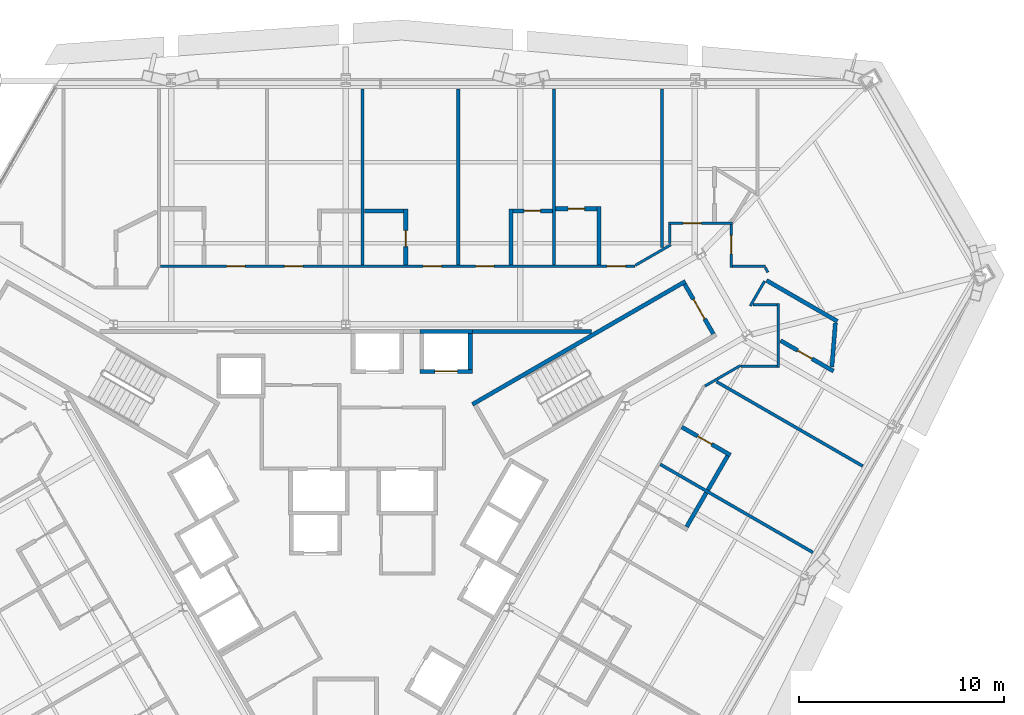
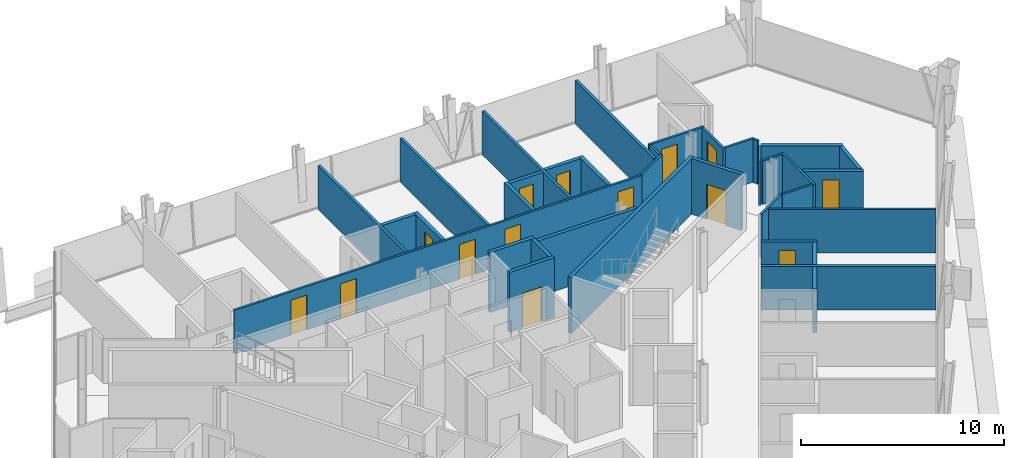
# One storey, part 14 of 17: 36 walls, 14 doors, 14 openings.
"""IFC4 building model written with IfcOpenShell, lengths in metres."""

from ifc_helpers import new_model, si_unit, direction, frame, frame_2d, origin, place, context, subcontext, project, spatial, rectangle, extrude, material, layer, layer_set, type_object, element, fill, save


model = new_model("IFC4")

# Units and contexts
model_context = context("Model", 3, precision=1e-05, world=origin(), true_north=direction((0.0, 1.0)))
body_context = subcontext(model_context, "Body", "Model", "MODEL_VIEW")
ifc_project = project(units=[si_unit("LENGTHUNIT", "METRE"), si_unit("AREAUNIT", "SQUARE_METRE"), si_unit("VOLUMEUNIT", "CUBIC_METRE"), si_unit("PLANEANGLEUNIT", "RADIAN"), si_unit("MASSUNIT", "GRAM", prefix="KILO")], contexts=[model_context])

# Site, building, storey
site_placement = place(None, origin())
site = spatial("IfcSite", under=ifc_project, at=site_placement, CompositionType="ELEMENT")
building_placement = place(site_placement, origin())
building = spatial("IfcBuilding", under=site, at=building_placement, Name="Verrane Prism Tower", CompositionType="ELEMENT")
storey_placement = place(building_placement, frame((0.0, 0.0, 62.0)))
storey = spatial("IfcBuildingStorey", under=building, at=storey_placement, Name="L13", CompositionType="ELEMENT", Elevation=62.0)

# Wall
ifc_material_1 = material(Name="Gypsum board partition", Category="other")
ifc_layer_1 = layer(ifc_material_1, 0.199951171875)
ifc_layer_set_1 = layer_set([ifc_layer_1], Name="CW-200 core boundary wall 2 h")
wall_type_1 = type_object("IfcWallType", Name="CW-200 core boundary wall 2 h", PredefinedType="PARTITIONING", material=ifc_layer_set_1)
wall_1_placement = place(storey_placement, frame((6.177001953125, 8.860107421875, 0.0), z_axis=(0.0, 0.0, 1.0), x_axis=(1.0, 0.0, 0.0)))
element("IfcWall", 1, at=wall_1_placement, inside=storey, type_object=wall_type_1, Name="Core boundary wall CW3-006", PredefinedType="PARTITIONING", context=body_context, shape_type="SweptSolid", body=[
    extrude(rectangle(XDim=5.81396484375, YDim=0.199951171875, at=frame_2d((2.906982421875, 0.0))), origin(), (0.0, 0.0, 1.0), 3.35009765625),
])

# Wall, opening, door
ifc_material_2 = material(Name="Concrete C40/50", Category="concrete")
ifc_layer_2 = layer(ifc_material_2, 0.199951171875)
ifc_layer_set_2 = layer_set([ifc_layer_2], Name="CW-200 stair core wall concrete C40/50 3 h")
wall_type_2 = type_object("IfcWallType", Name="CW-200 stair core wall concrete C40/50 3 h", PredefinedType="PARTITIONING", material=ifc_layer_set_2)
wall_2_placement = place(storey_placement, frame((17.933837890625, 8.737548828125, 0.0), z_axis=(0.0, 0.0, 1.0), x_axis=(-0.49998411664, 0.866034573852, 0.0)))
wall_2 = element("IfcWall", 2, at=wall_2_placement, inside=storey, type_object=wall_type_2, Name="Stair 1 enclosure wall", PredefinedType="PARTITIONING", context=body_context, shape_type="SweptSolid", body=[
    extrude(rectangle(XDim=2.7998046875, YDim=0.199951171875, at=frame_2d((1.39990234375, 0.0))), origin(), (0.0, 0.0, 1.0), 3.35009765625),
])
opening_1_placement = place(wall_2_placement, frame((0.849853515625, 0.0, 0.0)))
opening_1 = element("IfcOpeningElement", 3, at=opening_1_placement, cuts=wall_2, Name="Opening D12500", PredefinedType="OPENING", context=body_context, shape_type="SweptSolid", body=[
    extrude(rectangle(XDim=1.10009765625, YDim=2.10009765625, at=frame_2d((0.550048828125, 1.050048828125))), frame((0.0, 0.10986328125, 0.0), z_axis=(0.0, -1.0, 0.0), x_axis=(1.0, 0.0, 0.0)), (0.0, 0.0, 1.0), 0.219970703125),
])
ifc_material_3 = material(Name="Timber veneered door leaf", Category="wood")
door_type_1 = type_object("IfcDoorType", Name="DR-1100x2100 FD90 single leaf stair", OperationType="NOTDEFINED", PredefinedType="DOOR", material=ifc_material_3)
door_1_placement = place(opening_1_placement, origin())
door_1 = element("IfcDoor", 4, at=door_1_placement, inside=storey, type_object=door_type_1, Name="Stair 1 door", OperationType="SINGLE_SWING_LEFT", OverallHeight=2.10009765625, OverallWidth=1.10009765625, PredefinedType="DOOR", context=body_context, shape_type="SweptSolid", body=[
    extrude(rectangle(XDim=1.10009765625, YDim=2.10009765625, at=frame_2d((0.550048828125, 1.050048828125))), frame((0.0, 0.02490234375, 0.0), z_axis=(0.0, -1.0, 0.0), x_axis=(1.0, 0.0, 0.0)), (0.0, 0.0, 1.0), 0.050048828125),
])
fill(opening_1, door_1)

# Wall
wall_3_placement = place(storey_placement, frame((6.17822265625, 5.299072265625, 0.0), z_axis=(0.0, 0.0, 1.0), x_axis=(0.866026010844, 0.49999894854, 0.0)))
element("IfcWall", 5, at=wall_3_placement, inside=storey, type_object=wall_type_2, Name="Stair 1 enclosure wall", PredefinedType="PARTITIONING", context=body_context, shape_type="SweptSolid", body=[
    extrude(rectangle(XDim=12.0, YDim=0.199951171875, at=frame_2d((6.0, 0.0))), origin(), (0.0, 0.0, 1.0), 3.35009765625),
])

# Wall, opening, door
ifc_material_4 = material(Name="Gypsum board shaft wall assembly", Category="other")
ifc_layer_3 = layer(ifc_material_4, 0.199951171875)
ifc_layer_set_3 = layer_set([ifc_layer_3], Name="HW-200 lift shaft wall 2 h")
wall_type_3 = type_object("IfcWallType", Name="HW-200 lift shaft wall 2 h", PredefinedType="PARTITIONING", material=ifc_layer_set_3)
wall_4_placement = place(storey_placement, frame((3.625, 6.909912109375, 0.0), z_axis=(0.0, 0.0, 1.0), x_axis=(1.0, 0.0, 0.0)))
wall_4 = element("IfcWall", 6, at=wall_4_placement, inside=storey, type_object=wall_type_3, Name="Lift shaft wall", PredefinedType="PARTITIONING", context=body_context, shape_type="SweptSolid", body=[
    extrude(rectangle(XDim=2.550048828125, YDim=0.199951171875, at=frame_2d((1.27490234375, 0.0))), origin(), (0.0, 0.0, 1.0), 3.60009765625),
])
opening_2_placement = place(wall_4_placement, frame((0.72509765625, 0.0, 0.0)))
opening_2 = element("IfcOpeningElement", 7, at=opening_2_placement, cuts=wall_4, Name="Opening D12505", PredefinedType="OPENING", context=body_context, shape_type="SweptSolid", body=[
    extrude(rectangle(XDim=1.10009765625, YDim=2.10009765625, at=frame_2d((0.550048828125, 1.050048828125))), frame((0.0, 0.10986328125, 0.0), z_axis=(0.0, -1.0, 0.0), x_axis=(1.0, 0.0, 0.0)), (0.0, 0.0, 1.0), 0.219970703125),
])
ifc_material_5 = material(Name="Stainless steel sliding landing door", Category="steel")
door_type_2 = type_object("IfcDoorType", Name="LD-1100x2100 lift landing door FD90 sliding", OperationType="NOTDEFINED", PredefinedType="DOOR", material=ifc_material_5)
door_2_placement = place(opening_2_placement, origin())
door_2 = element("IfcDoor", 8, at=door_2_placement, inside=storey, type_object=door_type_2, Name="Bank A lift 3 landing door", OperationType="SLIDING_TO_LEFT", OverallHeight=2.10009765625, OverallWidth=1.10009765625, PredefinedType="DOOR", context=body_context, shape_type="SweptSolid", body=[
    extrude(rectangle(XDim=1.10009765625, YDim=2.10009765625, at=frame_2d((0.550048828125, 1.050048828125))), frame((0.0, 0.02490234375, 0.0), z_axis=(0.0, -1.0, 0.0), x_axis=(1.0, 0.0, 0.0)), (0.0, 0.0, 1.0), 0.050048828125),
])
fill(opening_2, door_2)

# Walls
wall_5_placement = place(storey_placement, frame((3.625, 8.860107421875, 0.0), z_axis=(0.0, 0.0, 1.0), x_axis=(1.0, 0.0, 0.0)))
element("IfcWall", 9, at=wall_5_placement, inside=storey, type_object=wall_type_3, Name="Lift shaft wall", PredefinedType="PARTITIONING", context=body_context, shape_type="SweptSolid", body=[
    extrude(rectangle(XDim=2.550048828125, YDim=0.199951171875, at=frame_2d((1.27490234375, 0.0))), origin(), (0.0, 0.0, 1.0), 3.60009765625),
])
wall_6_placement = place(storey_placement, frame((6.074951171875, 7.010009765625, 0.0), z_axis=(0.0, 0.0, 1.0), x_axis=(0.0, 1.0, 0.0)))
element("IfcWall", 10, at=wall_6_placement, inside=storey, type_object=wall_type_3, Name="Lift shaft wall", PredefinedType="PARTITIONING", context=body_context, shape_type="SweptSolid", body=[
    extrude(rectangle(XDim=1.75, YDim=0.199951171875, at=frame_2d((0.875, 0.0))), origin(), (0.0, 0.0, 1.0), 3.60009765625),
])

# Wall, openings, doors
ifc_material_6 = material(Name="Gypsum board partition", Category="other")
ifc_layer_4 = layer(ifc_material_6, 0.125)
ifc_layer_set_4 = layer_set([ifc_layer_4], Name="PW-125 corridor wall 1 h")
wall_type_4 = type_object("IfcWallType", Name="PW-125 corridor wall 1 h", PredefinedType="PARTITIONING", material=ifc_layer_set_4)
wall_7_placement = place(storey_placement, frame((-9.035888671875, 12.041015625, 0.0), z_axis=(0.0, 0.0, 1.0), x_axis=(1.0, 0.0, 0.0)))
wall_7 = element("IfcWall", 11, at=wall_7_placement, inside=storey, type_object=wall_type_4, Name="Corridor wall 033", PredefinedType="PARTITIONING", context=body_context, shape_type="SweptSolid", body=[
    extrude(rectangle(XDim=23.154296875, YDim=0.125, at=frame_2d((11.5771484375, 0.0))), origin(), (0.0, 0.0, 1.0), 2.613037109375),
])
opening_3_placement = place(wall_7_placement, frame((21.7890625, 0.0, 0.0)))
opening_3 = element("IfcOpeningElement", 12, at=opening_3_placement, cuts=wall_7, Name="Opening D12003", PredefinedType="OPENING", context=body_context, shape_type="SweptSolid", body=[
    extrude(rectangle(XDim=0.89990234375, YDim=2.10009765625, at=frame_2d((0.449951171875, 1.050048828125))), frame((0.0, 0.072509765625, 0.0), z_axis=(0.0, -1.0, 0.0), x_axis=(1.0, 0.0, 0.0)), (0.0, 0.0, 1.0), 0.14501953125),
])
opening_4_placement = place(wall_7_placement, frame((15.375, 0.0, 0.0)))
opening_4 = element("IfcOpeningElement", 13, at=opening_4_placement, cuts=wall_7, Name="Opening D12005", PredefinedType="OPENING", context=body_context, shape_type="SweptSolid", body=[
    extrude(rectangle(XDim=0.89990234375, YDim=2.10009765625, at=frame_2d((0.449951171875, 1.050048828125))), frame((0.0, 0.072509765625, 0.0), z_axis=(0.0, -1.0, 0.0), x_axis=(1.0, 0.0, 0.0)), (0.0, 0.0, 1.0), 0.14501953125),
])
opening_5_placement = place(wall_7_placement, frame((12.81005859375, 0.0, 0.0)))
opening_5 = element("IfcOpeningElement", 14, at=opening_5_placement, cuts=wall_7, Name="Opening D12007", PredefinedType="OPENING", context=body_context, shape_type="SweptSolid", body=[
    extrude(rectangle(XDim=0.89990234375, YDim=2.10009765625, at=frame_2d((0.449951171875, 1.050048828125))), frame((0.0, 0.072509765625, 0.0), z_axis=(0.0, -1.0, 0.0), x_axis=(1.0, 0.0, 0.0)), (0.0, 0.0, 1.0), 0.14501953125),
])
opening_6_placement = place(wall_7_placement, frame((6.0458984375, 0.0, 0.0)))
opening_6 = element("IfcOpeningElement", 15, at=opening_6_placement, cuts=wall_7, Name="Opening D12009", PredefinedType="OPENING", context=body_context, shape_type="SweptSolid", body=[
    extrude(rectangle(XDim=0.89990234375, YDim=2.10009765625, at=frame_2d((0.449951171875, 1.050048828125))), frame((0.0, 0.072509765625, 0.0), z_axis=(0.0, -1.0, 0.0), x_axis=(1.0, 0.0, 0.0)), (0.0, 0.0, 1.0), 0.14501953125),
])
opening_7_placement = place(wall_7_placement, frame((3.22412109375, 0.0, 0.0)))
opening_7 = element("IfcOpeningElement", 16, at=opening_7_placement, cuts=wall_7, Name="Opening D12011", PredefinedType="OPENING", context=body_context, shape_type="SweptSolid", body=[
    extrude(rectangle(XDim=0.89990234375, YDim=2.10009765625, at=frame_2d((0.449951171875, 1.050048828125))), frame((0.0, 0.072509765625, 0.0), z_axis=(0.0, -1.0, 0.0), x_axis=(1.0, 0.0, 0.0)), (0.0, 0.0, 1.0), 0.14501953125),
])
ifc_material_7 = material(Name="Timber veneered door leaf", Category="wood")
door_type_3 = type_object("IfcDoorType", Name="DR-900x2100 FD20 single leaf unit", OperationType="NOTDEFINED", PredefinedType="DOOR", material=ifc_material_7)
door_3_placement = place(opening_3_placement, origin())
door_3 = element("IfcDoor", 17, at=door_3_placement, inside=storey, type_object=door_type_3, Name="Guest Room door", OperationType="SINGLE_SWING_RIGHT", OverallHeight=2.10009765625, OverallWidth=0.89990234375, PredefinedType="DOOR", context=body_context, shape_type="SweptSolid", body=[
    extrude(rectangle(XDim=0.89990234375, YDim=2.10009765625, at=frame_2d((0.449951171875, 1.050048828125))), frame((0.0, 0.02490234375, 0.0), z_axis=(0.0, -1.0, 0.0), x_axis=(1.0, 0.0, 0.0)), (0.0, 0.0, 1.0), 0.050048828125),
])
fill(opening_3, door_3)
door_4_placement = place(opening_4_placement, origin())
door_4 = element("IfcDoor", 18, at=door_4_placement, inside=storey, type_object=door_type_3, Name="Guest Room door", OperationType="SINGLE_SWING_RIGHT", OverallHeight=2.10009765625, OverallWidth=0.89990234375, PredefinedType="DOOR", context=body_context, shape_type="SweptSolid", body=[
    extrude(rectangle(XDim=0.89990234375, YDim=2.10009765625, at=frame_2d((0.449951171875, 1.050048828125))), frame((0.0, 0.02490234375, 0.0), z_axis=(0.0, -1.0, 0.0), x_axis=(1.0, 0.0, 0.0)), (0.0, 0.0, 1.0), 0.050048828125),
])
fill(opening_4, door_4)
door_5_placement = place(opening_5_placement, origin())
door_5 = element("IfcDoor", 19, at=door_5_placement, inside=storey, type_object=door_type_3, Name="Guest Room door", OperationType="SINGLE_SWING_LEFT", OverallHeight=2.10009765625, OverallWidth=0.89990234375, PredefinedType="DOOR", context=body_context, shape_type="SweptSolid", body=[
    extrude(rectangle(XDim=0.89990234375, YDim=2.10009765625, at=frame_2d((0.449951171875, 1.050048828125))), frame((0.0, 0.02490234375, 0.0), z_axis=(0.0, -1.0, 0.0), x_axis=(1.0, 0.0, 0.0)), (0.0, 0.0, 1.0), 0.050048828125),
])
fill(opening_5, door_5)
door_6_placement = place(opening_6_placement, origin())
door_6 = element("IfcDoor", 20, at=door_6_placement, inside=storey, type_object=door_type_3, Name="Guest Room door", OperationType="SINGLE_SWING_LEFT", OverallHeight=2.10009765625, OverallWidth=0.89990234375, PredefinedType="DOOR", context=body_context, shape_type="SweptSolid", body=[
    extrude(rectangle(XDim=0.89990234375, YDim=2.10009765625, at=frame_2d((0.449951171875, 1.050048828125))), frame((0.0, 0.02490234375, 0.0), z_axis=(0.0, -1.0, 0.0), x_axis=(1.0, 0.0, 0.0)), (0.0, 0.0, 1.0), 0.050048828125),
])
fill(opening_6, door_6)
door_7_placement = place(opening_7_placement, origin())
door_7 = element("IfcDoor", 21, at=door_7_placement, inside=storey, type_object=door_type_3, Name="Guest Room door", OperationType="SINGLE_SWING_LEFT", OverallHeight=2.10009765625, OverallWidth=0.89990234375, PredefinedType="DOOR", context=body_context, shape_type="SweptSolid", body=[
    extrude(rectangle(XDim=0.89990234375, YDim=2.10009765625, at=frame_2d((0.449951171875, 1.050048828125))), frame((0.0, 0.02490234375, 0.0), z_axis=(0.0, -1.0, 0.0), x_axis=(1.0, 0.0, 0.0)), (0.0, 0.0, 1.0), 0.050048828125),
])
fill(opening_7, door_7)

# Walls
wall_8_placement = place(storey_placement, frame((14.129638671875, 12.08349609375, 0.0), z_axis=(0.0, 0.0, 1.0), x_axis=(0.865936922628, 0.500153222552, 0.0)))
element("IfcWall", 22, at=wall_8_placement, inside=storey, type_object=wall_type_4, Name="Corridor wall 073", PredefinedType="PARTITIONING", context=body_context, shape_type="SweptSolid", body=[
    extrude(rectangle(XDim=1.994873046875, YDim=0.125, at=frame_2d((0.99755859375, 0.0))), origin(), (0.0, 0.0, 1.0), 2.613037109375),
])
wall_9_placement = place(storey_placement, frame((15.802978515625, 13.135009765625, 0.0), z_axis=(0.0, 0.0, 1.0), x_axis=(0.0, 1.0, 0.0)))
element("IfcWall", 23, at=wall_9_placement, inside=storey, type_object=wall_type_4, Name="Corridor wall 077", PredefinedType="PARTITIONING", context=body_context, shape_type="SweptSolid", body=[
    extrude(rectangle(XDim=0.93701171875, YDim=0.125, at=frame_2d((0.468505859375, 0.0))), origin(), (0.0, 0.0, 1.0), 2.613037109375),
])

# Wall, opening, door
wall_10_placement = place(storey_placement, frame((15.740478515625, 14.136962890625, 0.0), z_axis=(0.0, 0.0, 1.0), x_axis=(1.0, 0.0, 0.0)))
wall_10 = element("IfcWall", 24, at=wall_10_placement, inside=storey, type_object=wall_type_4, Name="Corridor wall 078", PredefinedType="PARTITIONING", context=body_context, shape_type="SweptSolid", body=[
    extrude(rectangle(XDim=3.119140625, YDim=0.125, at=frame_2d((1.5595703125, 0.0))), origin(), (0.0, 0.0, 1.0), 2.613037109375),
])
opening_8_placement = place(wall_10_placement, frame((0.71240234375, 0.0, 0.0)))
opening_8 = element("IfcOpeningElement", 25, at=opening_8_placement, cuts=wall_10, Name="Opening D12001", PredefinedType="OPENING", context=body_context, shape_type="SweptSolid", body=[
    extrude(rectangle(XDim=0.89990234375, YDim=2.10009765625, at=frame_2d((0.449951171875, 1.050048828125))), frame((0.0, 0.072509765625, 0.0), z_axis=(0.0, -1.0, 0.0), x_axis=(1.0, 0.0, 0.0)), (0.0, 0.0, 1.0), 0.14501953125),
])
door_8_placement = place(opening_8_placement, origin())
door_8 = element("IfcDoor", 26, at=door_8_placement, inside=storey, type_object=door_type_3, Name="Guest Room door", OperationType="SINGLE_SWING_RIGHT", OverallHeight=2.10009765625, OverallWidth=0.89990234375, PredefinedType="DOOR", context=body_context, shape_type="SweptSolid", body=[
    extrude(rectangle(XDim=0.89990234375, YDim=2.10009765625, at=frame_2d((0.449951171875, 1.050048828125))), frame((0.0, 0.02490234375, 0.0), z_axis=(0.0, -1.0, 0.0), x_axis=(1.0, 0.0, 0.0)), (0.0, 0.0, 1.0), 0.050048828125),
])
fill(opening_8, door_8)

# Wall
wall_11_placement = place(storey_placement, frame((17.528564453125, 6.194580078125, 0.0), z_axis=(0.0, 0.0, 1.0), x_axis=(0.866002566612, 0.500039553057, 0.0)))
element("IfcWall", 27, at=wall_11_placement, inside=storey, type_object=wall_type_4, Name="Corridor wall 081", PredefinedType="PARTITIONING", context=body_context, shape_type="SweptSolid", body=[
    extrude(rectangle(XDim=1.999267578125, YDim=0.125, at=frame_2d((0.99951171875, 0.0))), origin(), (0.0, 0.0, 1.0), 2.613037109375),
])

# Wall, opening, door
wall_12_placement = place(storey_placement, frame((18.797119140625, 14.072021484375, 0.0), z_axis=(0.0, 0.0, 1.0), x_axis=(0.0, -1.0, 0.0)))
wall_12 = element("IfcWall", 28, at=wall_12_placement, inside=storey, type_object=wall_type_4, Name="Corridor wall 086", PredefinedType="PARTITIONING", context=body_context, shape_type="SweptSolid", body=[
    extrude(rectangle(XDim=2.093505859375, YDim=0.125, at=frame_2d((1.046875, 0.0))), origin(), (0.0, 0.0, 1.0), 2.613037109375),
])
opening_9_placement = place(wall_12_placement, frame((0.531005859375, 0.0, 0.0)))
opening_9 = element("IfcOpeningElement", 29, at=opening_9_placement, cuts=wall_12, Name="Opening D12042", PredefinedType="OPENING", context=body_context, shape_type="SweptSolid", body=[
    extrude(rectangle(XDim=0.89990234375, YDim=2.10009765625, at=frame_2d((0.449951171875, 1.050048828125))), frame((0.0, 0.072509765625, 0.0), z_axis=(0.0, -1.0, 0.0), x_axis=(1.0, 0.0, 0.0)), (0.0, 0.0, 1.0), 0.14501953125),
])
door_9_placement = place(opening_9_placement, origin())
door_9 = element("IfcDoor", 30, at=door_9_placement, inside=storey, type_object=door_type_3, Name="Corner Suite door", OperationType="SINGLE_SWING_LEFT", OverallHeight=2.10009765625, OverallWidth=0.89990234375, PredefinedType="DOOR", context=body_context, shape_type="SweptSolid", body=[
    extrude(rectangle(XDim=0.89990234375, YDim=2.10009765625, at=frame_2d((0.449951171875, 1.050048828125))), frame((0.0, 0.02490234375, 0.0), z_axis=(0.0, -1.0, 0.0), x_axis=(1.0, 0.0, 0.0)), (0.0, 0.0, 1.0), 0.050048828125),
])
fill(opening_9, door_9)

# Walls
wall_13_placement = place(storey_placement, frame((18.862060546875, 12.041015625, 0.0), z_axis=(0.0, 0.0, 1.0), x_axis=(1.0, 0.0, 0.0)))
element("IfcWall", 31, at=wall_13_placement, inside=storey, type_object=wall_type_4, Name="Corridor wall 087", PredefinedType="PARTITIONING", context=body_context, shape_type="SweptSolid", body=[
    extrude(rectangle(XDim=1.62451171875, YDim=0.125, at=frame_2d((0.812255859375, 0.0))), origin(), (0.0, 0.0, 1.0), 2.613037109375),
])
wall_14_placement = place(storey_placement, frame((19.291015625, 7.1630859375, 0.0), z_axis=(0.0, 0.0, 1.0), x_axis=(1.0, 0.0, 0.0)))
element("IfcWall", 32, at=wall_14_placement, inside=storey, type_object=wall_type_4, Name="Corridor wall 089", PredefinedType="PARTITIONING", context=body_context, shape_type="SweptSolid", body=[
    extrude(rectangle(XDim=1.740966796875, YDim=0.125, at=frame_2d((0.87060546875, 0.0))), origin(), (0.0, 0.0, 1.0), 2.613037109375),
])
wall_15_placement = place(storey_placement, frame((19.73681640625, 10.102783203125, 0.0), z_axis=(0.0, 0.0, 1.0), x_axis=(0.499944854726, 0.866057239582, 0.0)))
element("IfcWall", 33, at=wall_15_placement, inside=storey, type_object=wall_type_4, Name="Corridor wall 090", PredefinedType="PARTITIONING", context=body_context, shape_type="SweptSolid", body=[
    extrude(rectangle(XDim=1.393798828125, YDim=0.125, at=frame_2d((0.69677734375, 0.0))), origin(), (0.0, 0.0, 1.0), 2.613037109375),
])
wall_16_placement = place(storey_placement, frame((19.873046875, 10.156982421875, 0.0), z_axis=(0.0, 0.0, 1.0), x_axis=(1.0, 0.0, 0.0)))
element("IfcWall", 34, at=wall_16_placement, inside=storey, type_object=wall_type_4, Name="Corridor wall 091", PredefinedType="PARTITIONING", context=body_context, shape_type="SweptSolid", body=[
    extrude(rectangle(XDim=1.158935546875, YDim=0.125, at=frame_2d((0.57958984375, 0.0))), origin(), (0.0, 0.0, 1.0), 2.613037109375),
])
wall_17_placement = place(storey_placement, frame((20.466552734375, 11.96728515625, 0.0), z_axis=(0.0, 0.0, 1.0), x_axis=(0.500153222552, -0.865936922628, 0.0)))
element("IfcWall", 35, at=wall_17_placement, inside=storey, type_object=wall_type_4, Name="Corridor wall 093", PredefinedType="PARTITIONING", context=body_context, shape_type="SweptSolid", body=[
    extrude(rectangle(XDim=0.26171875, YDim=0.125, at=frame_2d((0.130859375, 0.0))), origin(), (0.0, 0.0, 1.0), 2.613037109375),
])
wall_18_placement = place(storey_placement, frame((21.096923828125, 7.1005859375, 0.0), z_axis=(0.0, 0.0, 1.0), x_axis=(0.0, 1.0, 0.0)))
element("IfcWall", 36, at=wall_18_placement, inside=storey, type_object=wall_type_4, Name="Corridor wall 095", PredefinedType="PARTITIONING", context=body_context, shape_type="SweptSolid", body=[
    extrude(rectangle(XDim=3.118896484375, YDim=0.125, at=frame_2d((1.5595703125, 0.0))), origin(), (0.0, 0.0, 1.0), 2.613037109375),
])
ifc_material_8 = material(Name="Gypsum board partition", Category="other")
ifc_layer_5 = layer(ifc_material_8, 0.14990234375)
ifc_layer_set_5 = layer_set([ifc_layer_5], Name="PW-150 demising wall 1 h")
wall_type_5 = type_object("IfcWallType", Name="PW-150 demising wall 1 h", PredefinedType="PARTITIONING", material=ifc_layer_set_5)
for number, where, z_axis, x_axis, name in (
    (37, (0.823974609375, 12.103515625, 0.0), (0.0, 0.0, 1.0), (0.0, 1.0, 0.0), "Demising wall 049"),
    (38, (5.489013671875, 12.103515625, 0.0), (0.0, 0.0, 1.0), (0.0, 1.0, 0.0), "Demising wall 057"),
    (39, (10.153076171875, 12.103515625, 0.0), (0.0, 0.0, 1.0), (0.0, 1.0, 0.0), "Demising wall 065"),
):
    element("IfcWall", number, at=place(storey_placement, frame(where, z_axis=z_axis, x_axis=x_axis)), inside=storey, type_object=wall_type_5, Name=name, PredefinedType="PARTITIONING", context=body_context, shape_type="SweptSolid", body=[
        extrude(rectangle(XDim=8.591552734375, YDim=0.14990234375, at=frame_2d((4.2958984375, 0.0))), origin(), (0.0, 0.0, 1.0), 2.613037109375),
    ])
wall_19_placement = place(storey_placement, frame((15.349365234375, 2.370361328125, 0.0), z_axis=(0.0, 0.0, 1.0), x_axis=(0.866033609522, -0.499985786976, 0.0)))
element("IfcWall", 40, at=wall_19_placement, inside=storey, type_object=wall_type_5, Name="Demising wall 075", PredefinedType="PARTITIONING", context=body_context, shape_type="SweptSolid", body=[
    extrude(rectangle(XDim=8.587158203125, YDim=0.14990234375, at=frame_2d((4.29345703125, 0.0))), origin(), (0.0, 0.0, 1.0), 2.613037109375),
])
wall_20_placement = place(storey_placement, frame((15.425048828125, 12.947509765625, 0.0), z_axis=(0.0, 0.0, 1.0), x_axis=(0.0, 1.0, 0.0)))
element("IfcWall", 41, at=wall_20_placement, inside=storey, type_object=wall_type_5, Name="Demising wall 076", PredefinedType="PARTITIONING", context=body_context, shape_type="SweptSolid", body=[
    extrude(rectangle(XDim=7.74755859375, YDim=0.14990234375, at=frame_2d((3.873779296875, 0.0))), origin(), (0.0, 0.0, 1.0), 2.613037109375),
])
wall_21_placement = place(storey_placement, frame((18.091064453125, 6.4033203125, 0.0), z_axis=(0.0, 0.0, 1.0), x_axis=(0.866038366034, -0.499977548053, 0.0)))
element("IfcWall", 42, at=wall_21_placement, inside=storey, type_object=wall_type_5, Name="Demising wall 085", PredefinedType="PARTITIONING", context=body_context, shape_type="SweptSolid", body=[
    extrude(rectangle(XDim=8.2294921875, YDim=0.14990234375, at=frame_2d((4.11474609375, 0.0))), origin(), (0.0, 0.0, 1.0), 2.613037109375),
])
ifc_material_9 = material(Name="Gypsum board partition", Category="other")
ifc_layer_6 = layer(ifc_material_9, 0.199951171875)
ifc_layer_set_6 = layer_set([ifc_layer_6], Name="PW-200 plumbing wall")
wall_type_6 = type_object("IfcWallType", Name="PW-200 plumbing wall", PredefinedType="PARTITIONING", material=ifc_layer_set_6)
wall_22_placement = place(storey_placement, frame((0.904052734375, 14.740966796875, 0.0), z_axis=(0.0, 0.0, 1.0), x_axis=(1.0, 0.0, 0.0)))
element("IfcWall", 43, at=wall_22_placement, inside=storey, type_object=wall_type_6, Name="Plumbing wall 050", PredefinedType="PARTITIONING", context=body_context, shape_type="SweptSolid", body=[
    extrude(rectangle(XDim=1.919921875, YDim=0.199951171875, at=frame_2d((0.9599609375, 0.0))), origin(), (0.0, 0.0, 1.0), 2.613037109375),
])

# Wall, opening, door
wall_23_placement = place(storey_placement, frame((2.924072265625, 12.103515625, 0.0), z_axis=(0.0, 0.0, 1.0), x_axis=(0.0, 1.0, 0.0)))
wall_23 = element("IfcWall", 44, at=wall_23_placement, inside=storey, type_object=wall_type_6, Name="Plumbing wall 051", PredefinedType="PARTITIONING", context=body_context, shape_type="SweptSolid", body=[
    extrude(rectangle(XDim=2.737548828125, YDim=0.199951171875, at=frame_2d((1.36865234375, 0.0))), origin(), (0.0, 0.0, 1.0), 2.613037109375),
])
opening_10_placement = place(wall_23_placement, frame((0.887451171875, 0.0, 0.0)))
opening_10 = element("IfcOpeningElement", 45, at=opening_10_placement, cuts=wall_23, Name="Opening D12008", PredefinedType="OPENING", context=body_context, shape_type="SweptSolid", body=[
    extrude(rectangle(XDim=0.800048828125, YDim=2.10009765625, at=frame_2d((0.39990234375, 1.050048828125))), frame((0.0, 0.10986328125, 0.0), z_axis=(0.0, -1.0, 0.0), x_axis=(1.0, 0.0, 0.0)), (0.0, 0.0, 1.0), 0.219970703125),
])
ifc_material_10 = material(Name="Timber veneered door leaf", Category="wood")
door_type_4 = type_object("IfcDoorType", Name="DR-800x2100 single leaf bath", OperationType="NOTDEFINED", PredefinedType="DOOR", material=ifc_material_10)
door_10_placement = place(opening_10_placement, origin())
door_10 = element("IfcDoor", 46, at=door_10_placement, inside=storey, type_object=door_type_4, Name="En-Suite door", OperationType="SINGLE_SWING_RIGHT", OverallHeight=2.10009765625, OverallWidth=0.800048828125, PredefinedType="DOOR", context=body_context, shape_type="SweptSolid", body=[
    extrude(rectangle(XDim=0.800048828125, YDim=2.10009765625, at=frame_2d((0.39990234375, 1.050048828125))), frame((0.0, 0.02490234375, 0.0), z_axis=(0.0, -1.0, 0.0), x_axis=(1.0, 0.0, 0.0)), (0.0, 0.0, 1.0), 0.050048828125),
])
fill(opening_10, door_10)

# Wall
wall_24_placement = place(storey_placement, frame((8.052978515625, 12.103515625, 0.0), z_axis=(0.0, 0.0, 1.0), x_axis=(0.0, 1.0, 0.0)))
element("IfcWall", 47, at=wall_24_placement, inside=storey, type_object=wall_type_6, Name="Plumbing wall 062", PredefinedType="PARTITIONING", context=body_context, shape_type="SweptSolid", body=[
    extrude(rectangle(XDim=2.737548828125, YDim=0.199951171875, at=frame_2d((1.36865234375, 0.0))), origin(), (0.0, 0.0, 1.0), 2.613037109375),
])

# Wall, opening, door
wall_25_placement = place(storey_placement, frame((10.077880859375, 14.740966796875, 0.0), z_axis=(0.0, 0.0, 1.0), x_axis=(-1.0, 0.0, 0.0)))
wall_25 = element("IfcWall", 48, at=wall_25_placement, inside=storey, type_object=wall_type_6, Name="Plumbing wall 063", PredefinedType="PARTITIONING", context=body_context, shape_type="SweptSolid", body=[
    extrude(rectangle(XDim=1.9248046875, YDim=0.199951171875, at=frame_2d((0.96240234375, 0.0))), origin(), (0.0, 0.0, 1.0), 2.613037109375),
])
opening_11_placement = place(wall_25_placement, frame((0.574951171875, 0.0, 0.0)))
opening_11 = element("IfcOpeningElement", 49, at=opening_11_placement, cuts=wall_25, Name="Opening D12006", PredefinedType="OPENING", context=body_context, shape_type="SweptSolid", body=[
    extrude(rectangle(XDim=0.800048828125, YDim=2.10009765625, at=frame_2d((0.39990234375, 1.050048828125))), frame((0.0, 0.10986328125, 0.0), z_axis=(0.0, -1.0, 0.0), x_axis=(1.0, 0.0, 0.0)), (0.0, 0.0, 1.0), 0.219970703125),
])
door_11_placement = place(opening_11_placement, origin())
door_11 = element("IfcDoor", 50, at=door_11_placement, inside=storey, type_object=door_type_4, Name="En-Suite door", OperationType="SINGLE_SWING_LEFT", OverallHeight=2.10009765625, OverallWidth=0.800048828125, PredefinedType="DOOR", context=body_context, shape_type="SweptSolid", body=[
    extrude(rectangle(XDim=0.800048828125, YDim=2.10009765625, at=frame_2d((0.39990234375, 1.050048828125))), frame((0.0, 0.02490234375, 0.0), z_axis=(0.0, -1.0, 0.0), x_axis=(1.0, 0.0, 0.0)), (0.0, 0.0, 1.0), 0.050048828125),
])
fill(opening_11, door_11)

wall_26_placement = place(storey_placement, frame((12.2529296875, 14.841064453125, 0.0), z_axis=(0.0, 0.0, 1.0), x_axis=(-1.0, 0.0, 0.0)))
wall_26 = element("IfcWall", 51, at=wall_26_placement, inside=storey, type_object=wall_type_6, Name="Plumbing wall 066", PredefinedType="PARTITIONING", context=body_context, shape_type="SweptSolid", body=[
    extrude(rectangle(XDim=2.02490234375, YDim=0.199951171875, at=frame_2d((1.012451171875, 0.0))), origin(), (0.0, 0.0, 1.0), 2.613037109375),
])
opening_12_placement = place(wall_26_placement, frame((0.60009765625, 0.0, 0.0)))
opening_12 = element("IfcOpeningElement", 52, at=opening_12_placement, cuts=wall_26, Name="Opening D12004", PredefinedType="OPENING", context=body_context, shape_type="SweptSolid", body=[
    extrude(rectangle(XDim=0.800048828125, YDim=2.10009765625, at=frame_2d((0.39990234375, 1.050048828125))), frame((0.0, 0.10986328125, 0.0), z_axis=(0.0, -1.0, 0.0), x_axis=(1.0, 0.0, 0.0)), (0.0, 0.0, 1.0), 0.219970703125),
])
door_12_placement = place(opening_12_placement, origin())
door_12 = element("IfcDoor", 53, at=door_12_placement, inside=storey, type_object=door_type_4, Name="En-Suite door", OperationType="SINGLE_SWING_RIGHT", OverallHeight=2.10009765625, OverallWidth=0.800048828125, PredefinedType="DOOR", context=body_context, shape_type="SweptSolid", body=[
    extrude(rectangle(XDim=0.800048828125, YDim=2.10009765625, at=frame_2d((0.39990234375, 1.050048828125))), frame((0.0, 0.02490234375, 0.0), z_axis=(0.0, -1.0, 0.0), x_axis=(1.0, 0.0, 0.0)), (0.0, 0.0, 1.0), 0.050048828125),
])
fill(opening_12, door_12)

# Wall
wall_27_placement = place(storey_placement, frame((12.35302734375, 12.103515625, 0.0), z_axis=(0.0, 0.0, 1.0), x_axis=(0.0, 1.0, 0.0)))
element("IfcWall", 54, at=wall_27_placement, inside=storey, type_object=wall_type_6, Name="Plumbing wall 070", PredefinedType="PARTITIONING", context=body_context, shape_type="SweptSolid", body=[
    extrude(rectangle(XDim=2.83740234375, YDim=0.199951171875, at=frame_2d((1.418701171875, 0.0))), origin(), (0.0, 0.0, 1.0), 2.613037109375),
])

# Wall, opening, door
wall_28_placement = place(storey_placement, frame((18.7666015625, 2.822021484375, 0.0), z_axis=(0.0, 0.0, 1.0), x_axis=(-0.866117296485, 0.499840803386, 0.0)))
wall_28 = element("IfcWall", 55, at=wall_28_placement, inside=storey, type_object=wall_type_6, Name="Plumbing wall 079", PredefinedType="PARTITIONING", context=body_context, shape_type="SweptSolid", body=[
    extrude(rectangle(XDim=2.73828125, YDim=0.199951171875, at=frame_2d((1.369140625, 0.0))), origin(), (0.0, 0.0, 1.0), 2.613037109375),
])
opening_13_placement = place(wall_28_placement, frame((1.050537109375, 0.0, 0.0)))
opening_13 = element("IfcOpeningElement", 56, at=opening_13_placement, cuts=wall_28, Name="Opening D12041", PredefinedType="OPENING", context=body_context, shape_type="SweptSolid", body=[
    extrude(rectangle(XDim=0.800048828125, YDim=2.10009765625, at=frame_2d((0.39990234375, 1.050048828125))), frame((0.0, 0.10986328125, 0.0), z_axis=(0.0, -1.0, 0.0), x_axis=(1.0, 0.0, 0.0)), (0.0, 0.0, 1.0), 0.219970703125),
])
door_13_placement = place(opening_13_placement, origin())
door_13 = element("IfcDoor", 57, at=door_13_placement, inside=storey, type_object=door_type_4, Name="En-Suite door", OperationType="SINGLE_SWING_RIGHT", OverallHeight=2.10009765625, OverallWidth=0.800048828125, PredefinedType="DOOR", context=body_context, shape_type="SweptSolid", body=[
    extrude(rectangle(XDim=0.800048828125, YDim=2.10009765625, at=frame_2d((0.39990234375, 1.050048828125))), frame((0.0, 0.02490234375, 0.0), z_axis=(0.0, -1.0, 0.0), x_axis=(1.0, 0.0, 0.0)), (0.0, 0.0, 1.0), 0.050048828125),
])
fill(opening_13, door_13)

# Walls
wall_29_placement = place(storey_placement, frame((16.6298828125, -0.678466796875, 0.0), z_axis=(0.0, 0.0, 1.0), x_axis=(0.49992795321, 0.866066996022, 0.0)))
element("IfcWall", 58, at=wall_29_placement, inside=storey, type_object=wall_type_6, Name="Plumbing wall 080", PredefinedType="PARTITIONING", context=body_context, shape_type="SweptSolid", body=[
    extrude(rectangle(XDim=1.919677734375, YDim=0.199951171875, at=frame_2d((0.9599609375, 0.0))), origin(), (0.0, 0.0, 1.0), 2.613037109375),
])
wall_30_placement = place(storey_placement, frame((17.66943359375, 1.123046875, 0.0), z_axis=(0.0, 0.0, 1.0), x_axis=(0.500269123289, 0.865869969617, 0.0)))
element("IfcWall", 59, at=wall_30_placement, inside=storey, type_object=wall_type_6, Name="Plumbing wall 082", PredefinedType="PARTITIONING", context=body_context, shape_type="SweptSolid", body=[
    extrude(rectangle(XDim=1.919921875, YDim=0.199951171875, at=frame_2d((0.9599609375, 0.0))), origin(), (0.0, 0.0, 1.0), 2.613037109375),
])
wall_31_placement = place(storey_placement, frame((20.526123046875, 11.345703125, 0.0), z_axis=(0.0, 0.0, 1.0), x_axis=(0.866089865591, -0.499888332251, 0.0)))
element("IfcWall", 60, at=wall_31_placement, inside=storey, type_object=wall_type_6, Name="Plumbing wall 094", PredefinedType="PARTITIONING", context=body_context, shape_type="SweptSolid", body=[
    extrude(rectangle(XDim=3.9921875, YDim=0.199951171875, at=frame_2d((1.99609375, 0.0))), origin(), (0.0, 0.0, 1.0), 2.613037109375),
])

# Wall, opening, door
wall_32_placement = place(storey_placement, frame((21.20947265625, 8.4111328125, 0.0), z_axis=(0.0, 0.0, 1.0), x_axis=(0.86595648724, -0.500119347963, 0.0)))
wall_32 = element("IfcWall", 61, at=wall_32_placement, inside=storey, type_object=wall_type_6, Name="Plumbing wall 096", PredefinedType="PARTITIONING", context=body_context, shape_type="SweptSolid", body=[
    extrude(rectangle(XDim=2.981689453125, YDim=0.199951171875, at=frame_2d((1.49072265625, 0.0))), origin(), (0.0, 0.0, 1.0), 2.613037109375),
])
opening_14_placement = place(wall_32_placement, frame((0.969970703125, 0.0, 0.0)))
opening_14 = element("IfcOpeningElement", 62, at=opening_14_placement, cuts=wall_32, Name="Opening D12043", PredefinedType="OPENING", context=body_context, shape_type="SweptSolid", body=[
    extrude(rectangle(XDim=0.800048828125, YDim=2.10009765625, at=frame_2d((0.39990234375, 1.050048828125))), frame((0.0, 0.10986328125, 0.0), z_axis=(0.0, -1.0, 0.0), x_axis=(1.0, 0.0, 0.0)), (0.0, 0.0, 1.0), 0.219970703125),
])
door_14_placement = place(opening_14_placement, origin())
door_14 = element("IfcDoor", 63, at=door_14_placement, inside=storey, type_object=door_type_4, Name="En-Suite door", OperationType="SINGLE_SWING_LEFT", OverallHeight=2.10009765625, OverallWidth=0.800048828125, PredefinedType="DOOR", context=body_context, shape_type="SweptSolid", body=[
    extrude(rectangle(XDim=0.800048828125, YDim=2.10009765625, at=frame_2d((0.39990234375, 1.050048828125))), frame((0.0, 0.02490234375, 0.0), z_axis=(0.0, -1.0, 0.0), x_axis=(1.0, 0.0, 0.0)), (0.0, 0.0, 1.0), 0.050048828125),
])
fill(opening_14, door_14)

# Wall
wall_33_placement = place(storey_placement, frame((23.717529296875, 7.12939453125, 0.0), z_axis=(0.0, 0.0, 1.0), x_axis=(0.078848500899, 0.996886610355, 0.0)))
element("IfcWall", 64, at=wall_33_placement, inside=storey, type_object=wall_type_6, Name="Plumbing wall 097", PredefinedType="PARTITIONING", context=body_context, shape_type="SweptSolid", body=[
    extrude(rectangle(XDim=2.142578125, YDim=0.199951171875, at=frame_2d((1.0712890625, 0.0))), origin(), (0.0, 0.0, 1.0), 2.613037109375),
])

save(model, "model.ifc")
